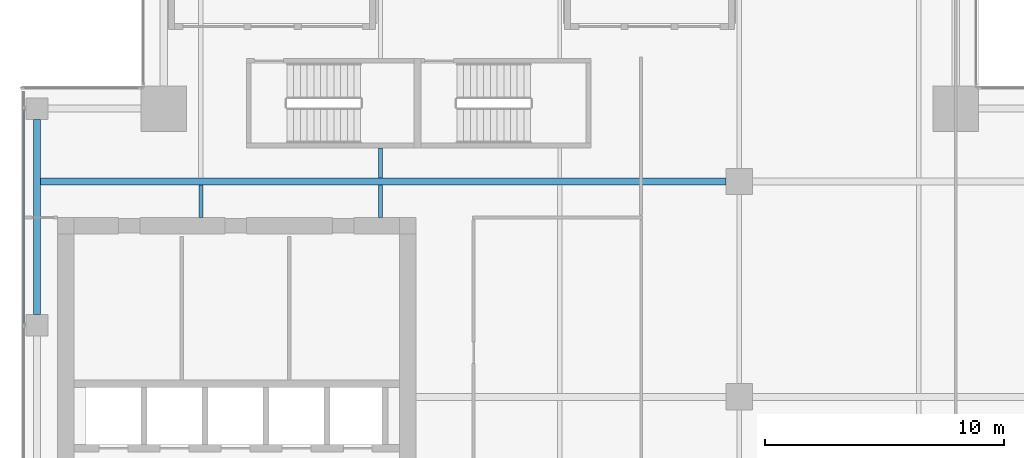
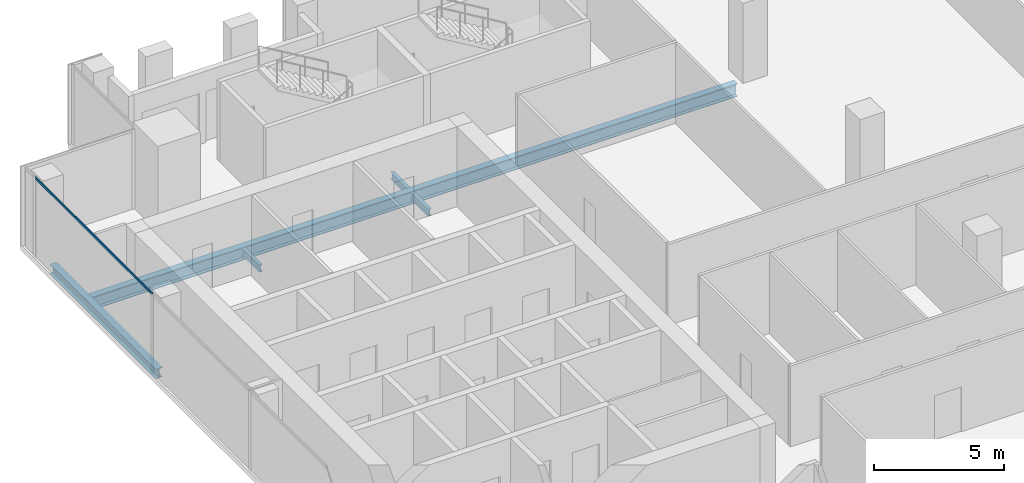
# One storey, part 16 of 34: 5 beams, 1 member, 1 element without a shape of its own.
"""IFC4 building model written with IfcOpenShell, lengths in metres."""

from ifc_helpers import new_model, si_unit, direction, frame, origin, origin_2d, place, context, subcontext, project, spatial, hollow_rectangle, i_section, extrude, source, transform, mapped, material, material_profile, profile_set, type_object, element, aggregate, save


model = new_model("IFC4")

# Units and contexts
model_context = context("Model", 3, precision=1e-05, world=origin(), true_north=direction((0.0, 1.0)))
body_context = subcontext(model_context, "Body", "Model", "MODEL_VIEW")
ifc_project = project(units=[si_unit("LENGTHUNIT", "METRE"), si_unit("AREAUNIT", "SQUARE_METRE"), si_unit("VOLUMEUNIT", "CUBIC_METRE"), si_unit("PLANEANGLEUNIT", "RADIAN"), si_unit("MASSUNIT", "GRAM", prefix="KILO")], contexts=[model_context])

# Site, building, storey
site_placement = place(None, origin())
site = spatial("IfcSite", under=ifc_project, at=site_placement, CompositionType="ELEMENT")
building_placement = place(site_placement, origin())
building = spatial("IfcBuilding", under=site, at=building_placement, Name="Khomas Fold Tower", CompositionType="ELEMENT")
storey_placement = place(building_placement, frame((0.0, 0.0, 242.199951171875)))
storey = spatial("IfcBuildingStorey", under=building, at=storey_placement, Name="L54", CompositionType="ELEMENT", Elevation=242.199951171875)

# Beams
ifc_material_1 = material(Name="Steel S355", Category="steel")
ifc_material_profile_1 = material_profile(ifc_material_1, i_section(OverallWidth=0.159912109375, OverallDepth=0.330078125, WebThickness=0.007568359375, FlangeThickness=0.011474609375, at=origin_2d()), Name="IPE 330")
ifc_profile_set_1 = profile_set([ifc_material_profile_1], Name="Steel S355")
beam_type_1 = type_object("IfcBeamType", Name="IPE 330 beam JB1", PredefinedType="BEAM", material=ifc_profile_set_1)
shared_shape_1 = source(origin(), body_context, "Body", "SweptSolid", [
    extrude(i_section(OverallWidth=0.159912109375, OverallDepth=0.330078125, WebThickness=0.007568359375, FlangeThickness=0.011474609375, at=origin_2d()), origin(), (0.0, 0.0, 1.0), 1.25),
])
beam_1_placement = place(storey_placement, frame((19.5, 40.64990234375, -0.4150390625), z_axis=(0.0, 1.0, 0.0), x_axis=(-1.0, 0.0, 0.0)))
element("IfcBeam", 1, at=beam_1_placement, inside=storey, type_object=beam_type_1, Name="JB1", PredefinedType="BEAM", context=body_context, shape_type="MappedRepresentation", body=[
    mapped(shared_shape_1, transform((0.0, 0.0, 0.0))),
])
shared_shape_2 = source(origin(), body_context, "Body", "SweptSolid", [
    extrude(i_section(OverallWidth=0.159912109375, OverallDepth=0.330078125, WebThickness=0.007568359375, FlangeThickness=0.011474609375, at=origin_2d()), origin(), (0.0, 0.0, 1.0), 1.35009765625),
])
for number, where, z_axis, x_axis, name in (
    (2, (12.0, 39.0, -0.4150390625), (0.0, 1.0, 0.0), (-1.0, 0.0, 0.0), "JB1"),
    (3, (19.5, 39.0, -0.4150390625), (0.0, 1.0, 0.0), (-1.0, 0.0, 0.0), "JB1"),
):
    element("IfcBeam", number, at=place(storey_placement, frame(where, z_axis=z_axis, x_axis=x_axis)), inside=storey, type_object=beam_type_1, Name=name, PredefinedType="BEAM", context=body_context, shape_type="MappedRepresentation", body=[
        mapped(shared_shape_2, transform((0.0, 0.0, 0.0))),
    ])
ifc_material_2 = material(Name="Steel S355", Category="steel")
ifc_material_profile_2 = material_profile(ifc_material_2, i_section(OverallWidth=0.300048828125, OverallDepth=0.449951171875, WebThickness=0.013916015625, FlangeThickness=0.02587890625, at=origin_2d()), Name="HE 450 B")
ifc_profile_set_2 = profile_set([ifc_material_profile_2], Name="Steel S355")
beam_type_2 = type_object("IfcBeamType", Name="HE 450 B spandrel SB4", PredefinedType="SPANDREL", material=ifc_profile_set_2)
shared_shape_3 = source(origin(), body_context, "Body", "SweptSolid", [
    extrude(i_section(OverallWidth=0.300048828125, OverallDepth=0.449951171875, WebThickness=0.013916015625, FlangeThickness=0.02587890625, at=origin_2d()), origin(), (0.0, 0.0, 1.0), 8.150146484375),
])
beam_2_placement = place(storey_placement, frame((5.14990234375, 34.949951171875, -0.474853515625), z_axis=(0.0, 1.0, 0.0), x_axis=(-1.0, 0.0, 0.0)))
element("IfcBeam", 4, at=beam_2_placement, inside=storey, type_object=beam_type_2, Name="SB4", PredefinedType="SPANDREL", context=body_context, shape_type="MappedRepresentation", body=[
    mapped(shared_shape_3, transform((0.0, 0.0, 0.0))),
])
ifc_material_3 = material(Name="Steel S355", Category="steel")
ifc_material_profile_3 = material_profile(ifc_material_3, i_section(OverallWidth=0.300048828125, OverallDepth=0.60009765625, WebThickness=0.015380859375, FlangeThickness=0.030029296875, at=origin_2d()), Name="HE 600 B")
ifc_profile_set_3 = profile_set([ifc_material_profile_3], Name="Steel S355")
beam_type_3 = type_object("IfcBeamType", Name="HE 600 B beam GB5", PredefinedType="BEAM", material=ifc_profile_set_3)
shared_shape_4 = source(origin(), body_context, "Body", "SweptSolid", [
    extrude(i_section(OverallWidth=0.300048828125, OverallDepth=0.60009765625, WebThickness=0.015380859375, FlangeThickness=0.030029296875, at=origin_2d()), origin(), (0.0, 0.0, 1.0), 28.64990234375),
])
beam_3_placement = place(storey_placement, frame((5.300048828125, 40.5, -0.550048828125), z_axis=(1.0, 0.0, 0.0), x_axis=(0.0, 1.0, 0.0)))
element("IfcBeam", 5, at=beam_3_placement, inside=storey, type_object=beam_type_3, Name="GB5", PredefinedType="BEAM", context=body_context, shape_type="MappedRepresentation", body=[
    mapped(shared_shape_4, transform((0.0, 0.0, 0.0))),
])

# Curtain wall, member
ifc_material_4 = material(Name="Aluminium framed double glazing", Category="aluminium")
curtain_wall_type = type_object("IfcCurtainWallType", Name="SK-Unitised clear-glass wall, office floors CW2", PredefinedType="NOTDEFINED", material=ifc_material_4)
curtain_wall_placement = place(storey_placement, origin())
curtain_wall = element("IfcCurtainWall", 6, at=curtain_wall_placement, inside=storey, type_object=curtain_wall_type, Name="CW2 run L54 09-0", PredefinedType="NOTDEFINED")
ifc_material_5 = material(Name="Aluminium", Category="aluminium")
ifc_material_profile_4 = material_profile(ifc_material_5, hollow_rectangle(XDim=0.050048828125, YDim=0.110107421875, WallThickness=0.00390625, at=origin_2d()), Name="SK-Unitised clear-glass wall, office floors transom CW2-T")
ifc_profile_set_4 = profile_set([ifc_material_profile_4], Name="Aluminium")
member_type = type_object("IfcMemberType", Name="SK-Unitised clear-glass wall, office floors transom CW2-T", PredefinedType="USERDEFINED", material=ifc_profile_set_4)
shared_shape_5 = source(origin(), body_context, "Body", "SweptSolid", [
    extrude(hollow_rectangle(XDim=0.050048828125, YDim=0.110107421875, WallThickness=0.00390625, at=origin_2d()), origin(), (0.0, 0.0, 1.0), 8.989990234375),
])
member_placement = place(storey_placement, frame((4.60009765625, 43.52001953125, 3.695068359375), z_axis=(0.0, -1.0, 0.0), x_axis=(1.0, 0.0, 0.0)))
member = element("IfcMember", 7, at=member_placement, type_object=member_type, Name="CW2 transom 2", ObjectType="TRANSOM", PredefinedType="USERDEFINED", context=body_context, shape_type="MappedRepresentation", body=[
    mapped(shared_shape_5, transform((0.0, 0.0, 0.0))),
])
aggregate(curtain_wall, [member])

save(model, "model.ifc")
